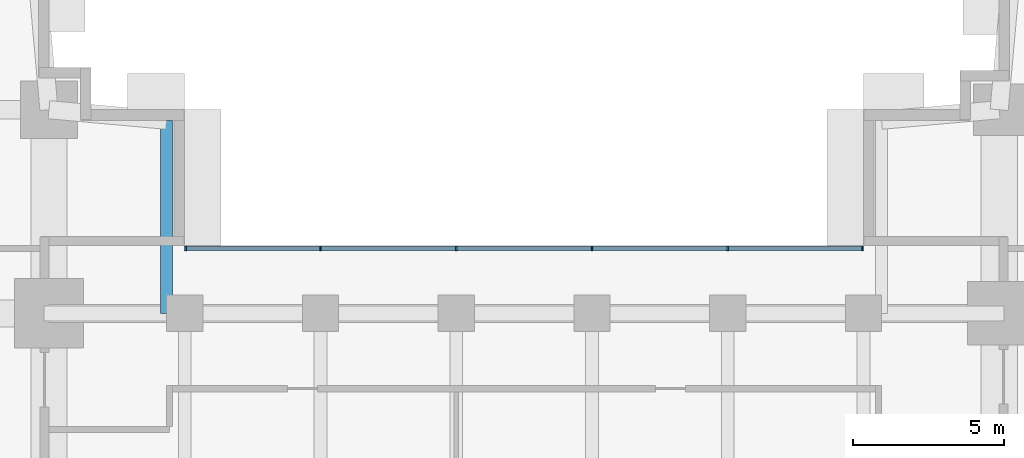
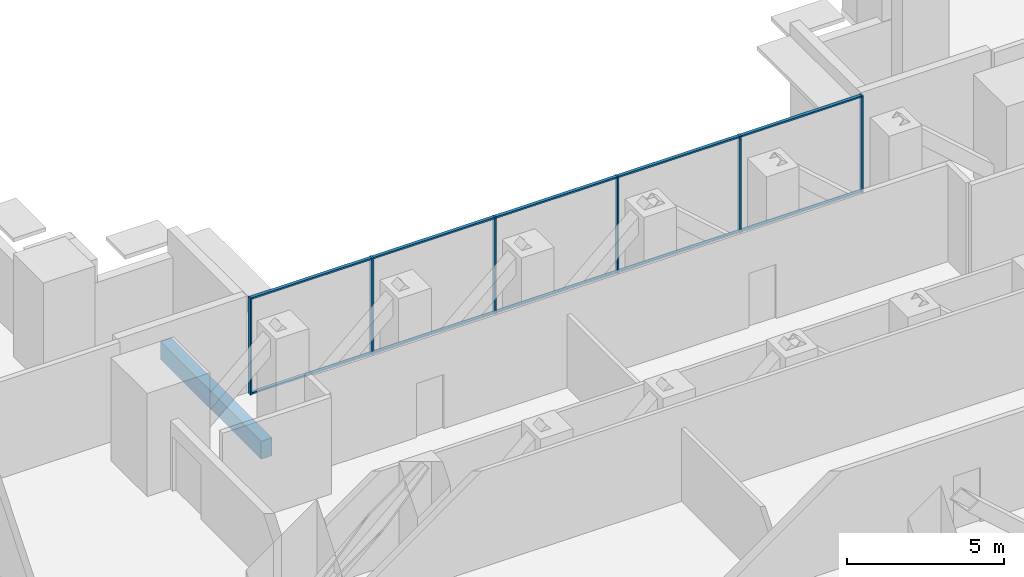
# One storey, part 4 of 14: 16 members, 1 beam, 1 element without a shape of its own.
"""IFC4 building model written with IfcOpenShell, lengths in metres."""

from ifc_helpers import new_model, si_unit, direction, frame, origin, origin_2d, place, context, subcontext, project, spatial, rectangle, extrude, material, layer, layer_set, material_profile, profile_set, type_object, element, aggregate, save


model = new_model("IFC4")

# Units and contexts
model_context = context("Model", 3, precision=1e-05, world=origin(), true_north=direction((0.0, 1.0)))
body_context = subcontext(model_context, "Body", "Model", "MODEL_VIEW")
ifc_project = project(units=[si_unit("LENGTHUNIT", "METRE"), si_unit("AREAUNIT", "SQUARE_METRE"), si_unit("VOLUMEUNIT", "CUBIC_METRE"), si_unit("PLANEANGLEUNIT", "RADIAN"), si_unit("MASSUNIT", "GRAM", prefix="KILO")], contexts=[model_context])

# Site, building, storey
site_placement = place(None, origin())
site = spatial("IfcSite", under=ifc_project, at=site_placement, CompositionType="ELEMENT")
building_placement = place(site_placement, origin())
building = spatial("IfcBuilding", under=site, at=building_placement, Name="Namib Vertical Campus", CompositionType="ELEMENT")
storey_placement = place(building_placement, frame((0.0, 0.0, 133.0)))
storey = spatial("IfcBuildingStorey", under=building, at=storey_placement, Name="L31", CompositionType="ELEMENT", Elevation=133.0)

# Curtain wall, members
ifc_material_1 = material(Name="Black aluminium curtain wall", Category="aluminium")
ifc_layer = layer(ifc_material_1, 0.199951171875)
ifc_layer_set = layer_set([ifc_layer], Name="Bridge curtain wall CW-BR")
curtain_wall_type = type_object("IfcCurtainWallType", Name="Bridge curtain wall CW-BR", PredefinedType="USERDEFINED", material=ifc_layer_set)
curtain_wall_placement = place(storey_placement, origin())
curtain_wall = element("IfcCurtainWall", 1, at=curtain_wall_placement, inside=storey, type_object=curtain_wall_type, Name="Curtain wall CW-BR L31 N", ObjectType="CURTAIN WALL", PredefinedType="USERDEFINED")
ifc_material_2 = material(Name="Black anodised aluminium", Category="aluminium")
ifc_material_profile_1 = material_profile(ifc_material_2, rectangle(XDim=0.06005859375, YDim=0.159912109375, at=origin_2d()))
ifc_profile_set_1 = profile_set([ifc_material_profile_1], Name="Black anodised aluminium")
member_type_1 = type_object("IfcMemberType", Name="Curtain wall mullion 60x160", PredefinedType="MULLION", material=ifc_profile_set_1)
member_1_placement = place(storey_placement, frame((62.969970703125, 31.39990234375, 0.0), z_axis=(0.0, 0.0, 1.0), x_axis=(-1.0, 0.0, 0.0)))
member_1 = element("IfcMember", 2, at=member_1_placement, type_object=member_type_1, Name="CW-BR mullion 1", PredefinedType="MULLION", context=body_context, shape_type="SweptSolid", body=[
    extrude(rectangle(XDim=0.06005859375, YDim=0.159912109375, at=origin_2d()), origin(), (0.0, 0.0, 1.0), 3.75),
])
member_2_placement = place(storey_placement, frame((58.5, 31.39990234375, 0.0), z_axis=(0.0, 0.0, 1.0), x_axis=(-1.0, 0.0, 0.0)))
member_2 = element("IfcMember", 3, at=member_2_placement, type_object=member_type_1, Name="CW-BR mullion 2", PredefinedType="MULLION", context=body_context, shape_type="SweptSolid", body=[
    extrude(rectangle(XDim=0.06005859375, YDim=0.159912109375, at=origin_2d()), origin(), (0.0, 0.0, 1.0), 3.75),
])
member_3_placement = place(storey_placement, frame((54.0, 31.39990234375, 0.0), z_axis=(0.0, 0.0, 1.0), x_axis=(-1.0, 0.0, 0.0)))
member_3 = element("IfcMember", 4, at=member_3_placement, type_object=member_type_1, Name="CW-BR mullion 3", PredefinedType="MULLION", context=body_context, shape_type="SweptSolid", body=[
    extrude(rectangle(XDim=0.06005859375, YDim=0.159912109375, at=origin_2d()), origin(), (0.0, 0.0, 1.0), 3.75),
])
member_4_placement = place(storey_placement, frame((49.5, 31.39990234375, 0.0), z_axis=(0.0, 0.0, 1.0), x_axis=(-1.0, 0.0, 0.0)))
member_4 = element("IfcMember", 5, at=member_4_placement, type_object=member_type_1, Name="CW-BR mullion 4", PredefinedType="MULLION", context=body_context, shape_type="SweptSolid", body=[
    extrude(rectangle(XDim=0.06005859375, YDim=0.159912109375, at=origin_2d()), origin(), (0.0, 0.0, 1.0), 3.75),
])
member_5_placement = place(storey_placement, frame((45.0, 31.39990234375, 0.0), z_axis=(0.0, 0.0, 1.0), x_axis=(-1.0, 0.0, 0.0)))
member_5 = element("IfcMember", 6, at=member_5_placement, type_object=member_type_1, Name="CW-BR mullion 5", PredefinedType="MULLION", context=body_context, shape_type="SweptSolid", body=[
    extrude(rectangle(XDim=0.06005859375, YDim=0.159912109375, at=origin_2d()), origin(), (0.0, 0.0, 1.0), 3.75),
])
member_6_placement = place(storey_placement, frame((40.530029296875, 31.39990234375, 0.0), z_axis=(0.0, 0.0, 1.0), x_axis=(-1.0, 0.0, 0.0)))
member_6 = element("IfcMember", 7, at=member_6_placement, type_object=member_type_1, Name="CW-BR mullion 6", PredefinedType="MULLION", context=body_context, shape_type="SweptSolid", body=[
    extrude(rectangle(XDim=0.06005859375, YDim=0.159912109375, at=origin_2d()), origin(), (0.0, 0.0, 1.0), 3.75),
])
ifc_material_3 = material(Name="Black anodised aluminium", Category="aluminium")
ifc_material_profile_2 = material_profile(ifc_material_3, rectangle(XDim=0.06005859375, YDim=0.1201171875, at=origin_2d()))
ifc_profile_set_2 = profile_set([ifc_material_profile_2], Name="Black anodised aluminium")
member_type_2 = type_object("IfcMemberType", Name="Curtain wall transom 60x120", PredefinedType="USERDEFINED", material=ifc_profile_set_2)
member_7_placement = place(storey_placement, frame((62.93994140625, 31.39990234375, 0.030029296875), z_axis=(-1.0, 0.0, 0.0), x_axis=(0.0, 0.0, 1.0)))
member_7 = element("IfcMember", 8, at=member_7_placement, type_object=member_type_2, Name="CW-BR transom 1.1", ObjectType="TRANSOM", PredefinedType="USERDEFINED", context=body_context, shape_type="SweptSolid", body=[
    extrude(rectangle(XDim=0.06005859375, YDim=0.1201171875, at=origin_2d()), origin(), (0.0, 0.0, 1.0), 4.409912109375),
])
member_8_placement = place(storey_placement, frame((62.93994140625, 31.39990234375, 3.719970703125), z_axis=(-1.0, 0.0, 0.0), x_axis=(0.0, 0.0, 1.0)))
member_8 = element("IfcMember", 9, at=member_8_placement, type_object=member_type_2, Name="CW-BR transom 1.2", ObjectType="TRANSOM", PredefinedType="USERDEFINED", context=body_context, shape_type="SweptSolid", body=[
    extrude(rectangle(XDim=0.06005859375, YDim=0.1201171875, at=origin_2d()), origin(), (0.0, 0.0, 1.0), 4.409912109375),
])
member_9_placement = place(storey_placement, frame((58.469970703125, 31.39990234375, 0.030029296875), z_axis=(-1.0, 0.0, 0.0), x_axis=(0.0, 0.0, 1.0)))
member_9 = element("IfcMember", 10, at=member_9_placement, type_object=member_type_2, Name="CW-BR transom 2.1", ObjectType="TRANSOM", PredefinedType="USERDEFINED", context=body_context, shape_type="SweptSolid", body=[
    extrude(rectangle(XDim=0.06005859375, YDim=0.1201171875, at=origin_2d()), origin(), (0.0, 0.0, 1.0), 4.43994140625),
])
member_10_placement = place(storey_placement, frame((58.469970703125, 31.39990234375, 3.719970703125), z_axis=(-1.0, 0.0, 0.0), x_axis=(0.0, 0.0, 1.0)))
member_10 = element("IfcMember", 11, at=member_10_placement, type_object=member_type_2, Name="CW-BR transom 2.2", ObjectType="TRANSOM", PredefinedType="USERDEFINED", context=body_context, shape_type="SweptSolid", body=[
    extrude(rectangle(XDim=0.06005859375, YDim=0.1201171875, at=origin_2d()), origin(), (0.0, 0.0, 1.0), 4.43994140625),
])
member_11_placement = place(storey_placement, frame((53.969970703125, 31.39990234375, 0.030029296875), z_axis=(-1.0, 0.0, 0.0), x_axis=(0.0, 0.0, 1.0)))
member_11 = element("IfcMember", 12, at=member_11_placement, type_object=member_type_2, Name="CW-BR transom 3.1", ObjectType="TRANSOM", PredefinedType="USERDEFINED", context=body_context, shape_type="SweptSolid", body=[
    extrude(rectangle(XDim=0.06005859375, YDim=0.1201171875, at=origin_2d()), origin(), (0.0, 0.0, 1.0), 4.43994140625),
])
member_12_placement = place(storey_placement, frame((53.969970703125, 31.39990234375, 3.719970703125), z_axis=(-1.0, 0.0, 0.0), x_axis=(0.0, 0.0, 1.0)))
member_12 = element("IfcMember", 13, at=member_12_placement, type_object=member_type_2, Name="CW-BR transom 3.2", ObjectType="TRANSOM", PredefinedType="USERDEFINED", context=body_context, shape_type="SweptSolid", body=[
    extrude(rectangle(XDim=0.06005859375, YDim=0.1201171875, at=origin_2d()), origin(), (0.0, 0.0, 1.0), 4.43994140625),
])
member_13_placement = place(storey_placement, frame((49.469970703125, 31.39990234375, 0.030029296875), z_axis=(-1.0, 0.0, 0.0), x_axis=(0.0, 0.0, 1.0)))
member_13 = element("IfcMember", 14, at=member_13_placement, type_object=member_type_2, Name="CW-BR transom 4.1", ObjectType="TRANSOM", PredefinedType="USERDEFINED", context=body_context, shape_type="SweptSolid", body=[
    extrude(rectangle(XDim=0.06005859375, YDim=0.1201171875, at=origin_2d()), origin(), (0.0, 0.0, 1.0), 4.43994140625),
])
member_14_placement = place(storey_placement, frame((49.469970703125, 31.39990234375, 3.719970703125), z_axis=(-1.0, 0.0, 0.0), x_axis=(0.0, 0.0, 1.0)))
member_14 = element("IfcMember", 15, at=member_14_placement, type_object=member_type_2, Name="CW-BR transom 4.2", ObjectType="TRANSOM", PredefinedType="USERDEFINED", context=body_context, shape_type="SweptSolid", body=[
    extrude(rectangle(XDim=0.06005859375, YDim=0.1201171875, at=origin_2d()), origin(), (0.0, 0.0, 1.0), 4.43994140625),
])
member_15_placement = place(storey_placement, frame((44.969970703125, 31.39990234375, 0.030029296875), z_axis=(-1.0, 0.0, 0.0), x_axis=(0.0, 0.0, 1.0)))
member_15 = element("IfcMember", 16, at=member_15_placement, type_object=member_type_2, Name="CW-BR transom 5.1", ObjectType="TRANSOM", PredefinedType="USERDEFINED", context=body_context, shape_type="SweptSolid", body=[
    extrude(rectangle(XDim=0.06005859375, YDim=0.1201171875, at=origin_2d()), origin(), (0.0, 0.0, 1.0), 4.409912109375),
])
member_16_placement = place(storey_placement, frame((44.969970703125, 31.39990234375, 3.719970703125), z_axis=(-1.0, 0.0, 0.0), x_axis=(0.0, 0.0, 1.0)))
member_16 = element("IfcMember", 17, at=member_16_placement, type_object=member_type_2, Name="CW-BR transom 5.2", ObjectType="TRANSOM", PredefinedType="USERDEFINED", context=body_context, shape_type="SweptSolid", body=[
    extrude(rectangle(XDim=0.06005859375, YDim=0.1201171875, at=origin_2d()), origin(), (0.0, 0.0, 1.0), 4.409912109375),
])
aggregate(curtain_wall, [member_1, member_2, member_3, member_4, member_5, member_6, member_7, member_8, member_9, member_10, member_11, member_12, member_13, member_14, member_15, member_16])

# Beam
ifc_material_4 = material(Name="Concrete C40/50", Category="concrete")
ifc_material_profile_3 = material_profile(ifc_material_4, rectangle(XDim=0.39990234375, YDim=0.699951171875, at=origin_2d()))
ifc_profile_set_3 = profile_set([ifc_material_profile_3], Name="Concrete C40/50")
beam_type = type_object("IfcBeamType", Name="Edge beam RC 400x700", PredefinedType="SPANDREL", material=ifc_profile_set_3)
beam_placement = place(storey_placement, frame((39.89990234375, 29.25, -0.60009765625), z_axis=(0.0, 1.0, 0.0), x_axis=(-1.0, 0.0, 0.0)))
element("IfcBeam", 18, at=beam_placement, inside=storey, type_object=beam_type, Name="Beam B4 L31", PredefinedType="SPANDREL", context=body_context, shape_type="SweptSolid", body=[
    extrude(rectangle(XDim=0.39990234375, YDim=0.699951171875, at=origin_2d()), origin(), (0.0, 0.0, 1.0), 6.39990234375),
])

save(model, "model.ifc")
